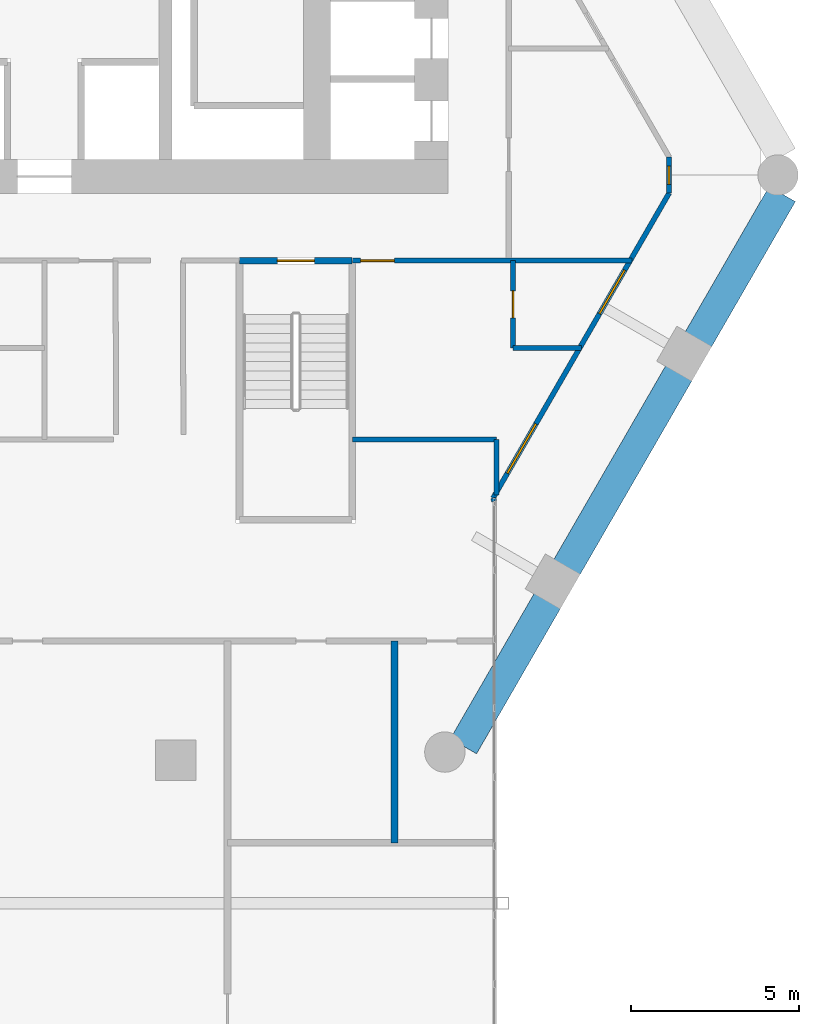
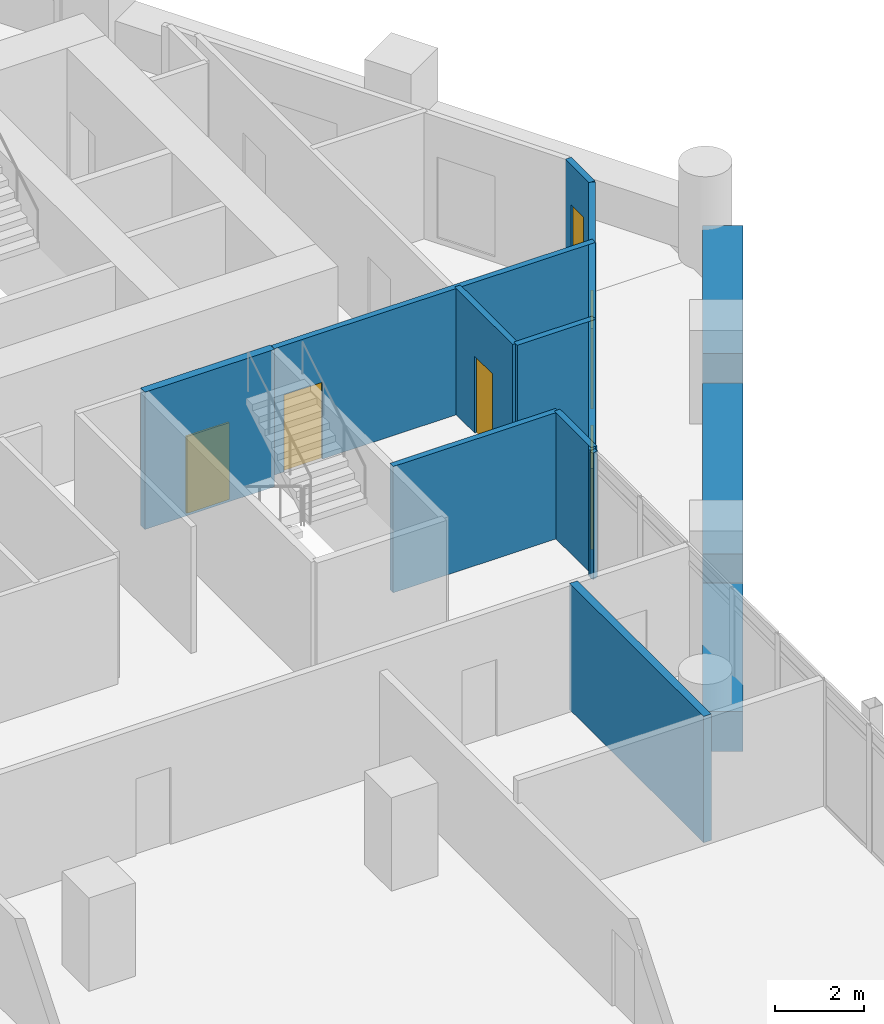
# One storey, part 24 of 28: 13 walls, 3 doors, 3 windows, 6 openings.
"""IFC4 building model written with IfcOpenShell, lengths in metres."""

from ifc_helpers import new_model, si_unit, direction, frame, frame_2d, origin, place, context, subcontext, project, spatial, rectangle, extrude, material, layer, layer_set, type_object, element, fill, save


model = new_model("IFC4")

# Units and contexts
model_context = context("Model", 3, precision=1e-05, world=origin(), true_north=direction((0.0, 1.0)))
body_context = subcontext(model_context, "Body", "Model", "MODEL_VIEW")
ifc_project = project(units=[si_unit("LENGTHUNIT", "METRE"), si_unit("AREAUNIT", "SQUARE_METRE"), si_unit("VOLUMEUNIT", "CUBIC_METRE"), si_unit("PLANEANGLEUNIT", "RADIAN"), si_unit("MASSUNIT", "GRAM", prefix="KILO")], contexts=[model_context])

# Site, building, storey
site_placement = place(None, origin())
site = spatial("IfcSite", under=ifc_project, at=site_placement, CompositionType="ELEMENT")
building_placement = place(site_placement, origin())
building = spatial("IfcBuilding", under=site, at=building_placement, Name="Ostrander Bayou Hotel Tower", CompositionType="ELEMENT")
storey_placement = place(building_placement, frame((0.0, 0.0, 142.25)))
storey = spatial("IfcBuildingStorey", under=building, at=storey_placement, Name="L35", CompositionType="ELEMENT", Elevation=142.25)

# Wall, openings, windows
ifc_material_1 = material(Name="Aluminium framed insulated wall", Category="aluminium")
ifc_layer_1 = layer(ifc_material_1, 0.14990234375)
ifc_layer_set_1 = layer_set([ifc_layer_1], Name="GW1 glass-line wall 150 mm")
wall_type_1 = type_object("IfcWallType", Name="GW1 glass-line wall 150 mm", PredefinedType="SOLIDWALL", material=ifc_layer_set_1)
wall_1_placement = place(storey_placement, frame((13.333984375, -10.7548828125, 0.0), z_axis=(0.0, 0.0, 1.0), x_axis=(0.499994317138, 0.866028684761, 0.0)))
wall_1 = element("IfcWall", 1, at=wall_1_placement, inside=storey, type_object=wall_type_1, Name="GW1 L35 SE 1", PredefinedType="SOLIDWALL", context=body_context, shape_type="SweptSolid", body=[
    extrude(rectangle(XDim=10.46826171875, YDim=0.14990234375, at=frame_2d((5.234130859375, 0.0))), origin(), (0.0, 0.0, 1.0), 3.449951171875),
])
opening_1_placement = place(wall_1_placement, frame((0.84716796875, 0.0, 0.14990234375)))
opening_1 = element("IfcOpeningElement", 2, at=opening_1_placement, cuts=wall_1, Name="Opening W8", PredefinedType="OPENING", context=body_context, shape_type="SweptSolid", body=[
    extrude(rectangle(XDim=1.699951171875, YDim=2.199951171875, at=frame_2d((0.85009765625, 1.10009765625))), frame((0.0, 0.074951171875, 0.0), z_axis=(0.0, -1.0, 0.0), x_axis=(1.0, 0.0, 0.0)), (0.0, 0.0, 1.0), 0.14990234375),
])
opening_2_placement = place(wall_1_placement, frame((6.322265625, 0.0, 0.14990234375)))
opening_2 = element("IfcOpeningElement", 3, at=opening_2_placement, cuts=wall_1, Name="Opening W12", PredefinedType="OPENING", context=body_context, shape_type="SweptSolid", body=[
    extrude(rectangle(XDim=1.5, YDim=2.199951171875, at=frame_2d((0.75, 1.10009765625))), frame((0.0, 0.074951171875, 0.0), z_axis=(0.0, -1.0, 0.0), x_axis=(1.0, 0.0, 0.0)), (0.0, 0.0, 1.0), 0.14990234375),
])
ifc_material_2 = material(Name="Aluminium and clear glass", Category="aluminium")
window_type_1 = type_object("IfcWindowType", Name="W12 fixed window 1500 mm, bath bay, zone 2", PartitioningType="SINGLE_PANEL", PredefinedType="WINDOW", material=ifc_material_2)
window_1_placement = place(opening_2_placement, origin())
window_1 = element("IfcWindow", 4, at=window_1_placement, inside=storey, type_object=window_type_1, Name="W12 L35 SE 3", OverallHeight=2.199951171875, OverallWidth=1.5, PartitioningType="SINGLE_PANEL", PredefinedType="WINDOW", context=body_context, shape_type="SweptSolid", body=[
    extrude(rectangle(XDim=1.5, YDim=2.199951171875, at=frame_2d((0.75, 1.10009765625))), frame((0.0, 0.030029296875, 0.0), z_axis=(0.0, -1.0, 0.0), x_axis=(1.0, 0.0, 0.0)), (0.0, 0.0, 1.0), 0.06005859375),
])
fill(opening_2, window_1)
ifc_material_3 = material(Name="Aluminium and clear glass", Category="aluminium")
window_type_2 = type_object("IfcWindowType", Name="W8 fixed window 1700 mm, bar storeys, zone 2", PartitioningType="SINGLE_PANEL", PredefinedType="WINDOW", material=ifc_material_3)
window_2_placement = place(opening_1_placement, origin())
window_2 = element("IfcWindow", 5, at=window_2_placement, inside=storey, type_object=window_type_2, Name="W8 L35 SE 2", OverallHeight=2.199951171875, OverallWidth=1.699951171875, PartitioningType="SINGLE_PANEL", PredefinedType="WINDOW", context=body_context, shape_type="SweptSolid", body=[
    extrude(rectangle(XDim=1.699951171875, YDim=2.199951171875, at=frame_2d((0.85009765625, 1.10009765625))), frame((0.0, 0.030029296875, 0.0), z_axis=(0.0, -1.0, 0.0), x_axis=(1.0, 0.0, 0.0)), (0.0, 0.0, 1.0), 0.06005859375),
])
fill(opening_1, window_2)

# Wall, opening, window
wall_2_placement = place(storey_placement, frame((18.568115234375, -1.68896484375, 0.0), z_axis=(0.0, 0.0, 1.0), x_axis=(0.0, 1.0, 0.0)))
wall_2 = element("IfcWall", 6, at=wall_2_placement, inside=storey, type_object=wall_type_1, Name="GW1 L35 corner 5", PredefinedType="SOLIDWALL", context=body_context, shape_type="SweptSolid", body=[
    extrude(rectangle(XDim=1.06494140625, YDim=0.14990234375, at=frame_2d((0.532470703125, 0.0))), origin(), (0.0, 0.0, 1.0), 3.449951171875),
])
opening_3_placement = place(wall_2_placement, frame((0.257568359375, 0.0, 0.14990234375)))
opening_3 = element("IfcOpeningElement", 7, at=opening_3_placement, cuts=wall_2, Name="Opening W19", PredefinedType="OPENING", context=body_context, shape_type="SweptSolid", body=[
    extrude(rectangle(XDim=0.550048828125, YDim=2.199951171875, at=frame_2d((0.27490234375, 1.10009765625))), frame((0.0, 0.074951171875, 0.0), z_axis=(0.0, -1.0, 0.0), x_axis=(1.0, 0.0, 0.0)), (0.0, 0.0, 1.0), 0.14990234375),
])
ifc_material_4 = material(Name="Aluminium and clear glass", Category="aluminium")
window_type_3 = type_object("IfcWindowType", Name="W19 corner window 550 mm", PartitioningType="SINGLE_PANEL", PredefinedType="WINDOW", material=ifc_material_4)
window_3_placement = place(opening_3_placement, origin())
window_3 = element("IfcWindow", 8, at=window_3_placement, inside=storey, type_object=window_type_3, Name="W19 L35 corner 5", OverallHeight=2.199951171875, OverallWidth=0.550048828125, PartitioningType="SINGLE_PANEL", PredefinedType="WINDOW", context=body_context, shape_type="SweptSolid", body=[
    extrude(rectangle(XDim=0.550048828125, YDim=2.199951171875, at=frame_2d((0.27490234375, 1.10009765625))), frame((0.0, 0.030029296875, 0.0), z_axis=(0.0, -1.0, 0.0), x_axis=(1.0, 0.0, 0.0)), (0.0, 0.0, 1.0), 0.06005859375),
])
fill(opening_3, window_3)

# Walls
wall_3_placement = place(storey_placement, frame((13.333984375, -10.7548828125, 0.0), z_axis=(0.0, 0.0, 1.0), x_axis=(0.337751931921, -0.941235163221, 0.0)))
element("IfcWall", 9, at=wall_3_placement, inside=storey, type_object=wall_type_1, Name="GW1 L35 bar joint 2", PredefinedType="SOLIDWALL", context=body_context, shape_type="SweptSolid", body=[
    extrude(rectangle(XDim=0.098388671875, YDim=0.14990234375, at=frame_2d((0.04931640625, 0.0))), origin(), (0.0, 0.0, 1.0), 3.449951171875),
])
ifc_material_5 = material(Name="Limestone masonry", Category="masonry")
ifc_layer_2 = layer(ifc_material_5, 0.89990234375)
ifc_layer_set_2 = layer_set([ifc_layer_2], Name="PA2 limestone parapet 900 mm")
wall_type_2 = type_object("IfcWallType", Name="PA2 limestone parapet 900 mm", PredefinedType="PARAPET", material=ifc_layer_set_2)
wall_4_placement = place(storey_placement, frame((12.45361328125, -18.1298828125, 0.0), z_axis=(0.0, 0.0, 1.0), x_axis=(0.499974782844, 0.866039962427, 0.0)))
element("IfcWall", 10, at=wall_4_placement, inside=storey, type_object=wall_type_2, Name="PA2 L35 SE-1", PredefinedType="PARAPET", context=body_context, shape_type="SweptSolid", body=[
    extrude(rectangle(XDim=4.997314453125, YDim=0.89990234375, at=frame_2d((2.49853515625, 0.0))), origin(), (0.0, 0.0, 1.0), 1.10009765625),
])
wall_5_placement = place(storey_placement, frame((15.522216796875, -12.814697265625, 0.0), z_axis=(0.0, 0.0, 1.0), x_axis=(0.499999023957, 0.866025967302, 0.0)))
element("IfcWall", 11, at=wall_5_placement, inside=storey, type_object=wall_type_2, Name="PA2 L35 SE-2", PredefinedType="PARAPET", context=body_context, shape_type="SweptSolid", body=[
    extrude(rectangle(XDim=6.67333984375, YDim=0.89990234375, at=frame_2d((3.336669921875, 0.0))), origin(), (0.0, 0.0, 1.0), 1.10009765625),
])
wall_6_placement = place(storey_placement, frame((19.428955078125, -6.048095703125, 0.0), z_axis=(0.0, 0.0, 1.0), x_axis=(0.500011423449, 0.866018808352, 0.0)))
element("IfcWall", 12, at=wall_6_placement, inside=storey, type_object=wall_type_2, Name="PA2 L35 SE-3", PredefinedType="PARAPET", context=body_context, shape_type="SweptSolid", body=[
    extrude(rectangle(XDim=4.99755859375, YDim=0.89990234375, at=frame_2d((2.498779296875, 0.0))), origin(), (0.0, 0.0, 1.0), 1.10009765625),
])
ifc_material_6 = material(Name="Gypsum board partition", Category="finish")
ifc_layer_3 = layer(ifc_material_6, 0.199951171875)
ifc_layer_set_3 = layer_set([ifc_layer_3], Name="PT3 demising wall 200 mm acoustic double stud, 1 hour")
wall_type_3 = type_object("IfcWallType", Name="PT3 demising wall 200 mm acoustic double stud, 1 hour", PredefinedType="PARTITIONING", material=ifc_layer_set_3)
wall_7_placement = place(storey_placement, frame((10.402099609375, -21.0, 0.0), z_axis=(0.0, 0.0, 1.0), x_axis=(0.0, 1.0, 0.0)))
element("IfcWall", 13, at=wall_7_placement, inside=storey, type_object=wall_type_3, Name="sw:L35:511", PredefinedType="PARTITIONING", context=body_context, shape_type="SweptSolid", body=[
    extrude(rectangle(XDim=6.0, YDim=0.199951171875, at=frame_2d((3.0, 0.0))), origin(), (0.0, 0.0, 1.0), 3.449951171875),
])
ifc_material_7 = material(Name="Gypsum board partition", Category="finish")
ifc_layer_4 = layer(ifc_material_7, 0.14990234375)
ifc_layer_set_4 = layer_set([ifc_layer_4], Name="PT8 service band wall 150 mm, 1 hour")
wall_type_4 = type_object("IfcWallType", Name="PT8 service band wall 150 mm, 1 hour", PredefinedType="PARTITIONING", material=ifc_layer_set_4)
wall_8_placement = place(storey_placement, frame((9.159912109375, -9.010009765625, 0.0), z_axis=(0.0, 0.0, 1.0), x_axis=(1.0, 0.0, 0.0)))
element("IfcWall", 14, at=wall_8_placement, inside=storey, type_object=wall_type_4, Name="gw:L35:003", PredefinedType="PARTITIONING", context=body_context, shape_type="SweptSolid", body=[
    extrude(rectangle(XDim=4.280029296875, YDim=0.14990234375, at=frame_2d((2.14013671875, 0.0))), origin(), (0.0, 0.0, 1.0), 3.449951171875),
])
wall_9_placement = place(storey_placement, frame((13.929931640625, -6.300048828125, 0.0), z_axis=(0.0, 0.0, 1.0), x_axis=(1.0, 0.0, 0.0)))
element("IfcWall", 15, at=wall_9_placement, inside=storey, type_object=wall_type_4, Name="gw:L35:006", PredefinedType="PARTITIONING", context=body_context, shape_type="SweptSolid", body=[
    extrude(rectangle(XDim=2.028076171875, YDim=0.14990234375, at=frame_2d((1.01416015625, 0.0))), origin(), (0.0, 0.0, 1.0), 3.449951171875),
])

# Wall, opening, door
wall_10_placement = place(storey_placement, frame((9.159912109375, -3.699951171875, 0.0), z_axis=(0.0, 0.0, 1.0), x_axis=(1.0, 0.0, 0.0)))
wall_10 = element("IfcWall", 16, at=wall_10_placement, inside=storey, type_object=wall_type_4, Name="gw:L35:010", PredefinedType="PARTITIONING", context=body_context, shape_type="SweptSolid", body=[
    extrude(rectangle(XDim=8.299072265625, YDim=0.14990234375, at=frame_2d((4.1494140625, 0.0))), origin(), (0.0, 0.0, 1.0), 3.449951171875),
])
opening_4_placement = place(wall_10_placement, frame((0.239990234375, 0.0, 0.0)))
opening_4 = element("IfcOpeningElement", 17, at=opening_4_placement, cuts=wall_10, Name="Opening T34-406", PredefinedType="OPENING", context=body_context, shape_type="SweptSolid", body=[
    extrude(rectangle(XDim=1.0, YDim=2.10009765625, at=frame_2d((0.5, 1.050048828125))), frame((0.0, 0.074951171875, 0.0), z_axis=(0.0, -1.0, 0.0), x_axis=(1.0, 0.0, 0.0)), (0.0, 0.0, 1.0), 0.14990234375),
])
ifc_material_8 = material(Name="Timber door leaf", Category="wood")
door_type_1 = type_object("IfcDoorType", Name="D1 guest room door 1000 x 2100 mm, 30 minute", OperationType="SINGLE_SWING_LEFT", PredefinedType="DOOR", material=ifc_material_8)
door_1_placement = place(opening_4_placement, origin())
door_1 = element("IfcDoor", 18, at=door_1_placement, inside=storey, type_object=door_type_1, Name="dr:L35:406", OperationType="SINGLE_SWING_LEFT", OverallHeight=2.10009765625, OverallWidth=1.0, PredefinedType="DOOR", context=body_context, shape_type="SweptSolid", body=[
    extrude(rectangle(XDim=1.0, YDim=2.10009765625, at=frame_2d((0.5, 1.050048828125))), frame((0.0, 0.02490234375, 0.0), z_axis=(0.0, -1.0, 0.0), x_axis=(1.0, 0.0, 0.0)), (0.0, 0.0, 1.0), 0.050048828125),
])
fill(opening_4, door_1)

wall_11_placement = place(storey_placement, frame((13.929931640625, -6.300048828125, 0.0), z_axis=(0.0, 0.0, 1.0), x_axis=(0.0, 1.0, 0.0)))
wall_11 = element("IfcWall", 19, at=wall_11_placement, inside=storey, type_object=wall_type_4, Name="gw:L35:016", PredefinedType="PARTITIONING", context=body_context, shape_type="SweptSolid", body=[
    extrude(rectangle(XDim=2.60009765625, YDim=0.14990234375, at=frame_2d((1.300048828125, 0.0))), origin(), (0.0, 0.0, 1.0), 3.449951171875),
])
opening_5_placement = place(wall_11_placement, frame((0.89990234375, 0.0, 0.0)))
opening_5 = element("IfcOpeningElement", 20, at=opening_5_placement, cuts=wall_11, Name="Opening T34-407", PredefinedType="OPENING", context=body_context, shape_type="SweptSolid", body=[
    extrude(rectangle(XDim=0.800048828125, YDim=2.10009765625, at=frame_2d((0.39990234375, 1.050048828125))), frame((0.0, 0.074951171875, 0.0), z_axis=(0.0, -1.0, 0.0), x_axis=(1.0, 0.0, 0.0)), (0.0, 0.0, 1.0), 0.14990234375),
])
ifc_material_9 = material(Name="Timber door leaf", Category="wood")
door_type_2 = type_object("IfcDoorType", Name="D2 bathroom door 800 x 2100 mm", OperationType="SINGLE_SWING_LEFT", PredefinedType="DOOR", material=ifc_material_9)
door_2_placement = place(opening_5_placement, origin())
door_2 = element("IfcDoor", 21, at=door_2_placement, inside=storey, type_object=door_type_2, Name="dr:L35:407", OperationType="SINGLE_SWING_RIGHT", OverallHeight=2.10009765625, OverallWidth=0.800048828125, PredefinedType="DOOR", context=body_context, shape_type="SweptSolid", body=[
    extrude(rectangle(XDim=0.800048828125, YDim=2.10009765625, at=frame_2d((0.39990234375, 1.050048828125))), frame((0.0, 0.02490234375, 0.0), z_axis=(0.0, -1.0, 0.0), x_axis=(1.0, 0.0, 0.0)), (0.0, 0.0, 1.0), 0.050048828125),
])
fill(opening_5, door_2)

# Wall
wall_12_placement = place(storey_placement, frame((13.43994140625, -10.660888671875, 0.0), z_axis=(0.0, 0.0, 1.0), x_axis=(0.0, 1.0, 0.0)))
element("IfcWall", 22, at=wall_12_placement, inside=storey, type_object=wall_type_4, Name="gw:L35:018", PredefinedType="PARTITIONING", context=body_context, shape_type="SweptSolid", body=[
    extrude(rectangle(XDim=1.65087890625, YDim=0.14990234375, at=frame_2d((0.825439453125, 0.0))), origin(), (0.0, 0.0, 1.0), 3.449951171875),
])

# Wall, opening, door
ifc_material_10 = material(Name="Concrete f'c 45 MPa", Category="concrete")
ifc_layer_5 = layer(ifc_material_10, 0.199951171875)
ifc_layer_set_5 = layer_set([ifc_layer_5], Name="SW5 stair enclosure wall 200 mm f'c 45 MPa")
wall_type_5 = type_object("IfcWallType", Name="SW5 stair enclosure wall 200 mm f'c 45 MPa", PredefinedType="SOLIDWALL", material=ifc_layer_set_5)
wall_13_placement = place(storey_placement, frame((5.800048828125, -3.699951171875, -0.300048828125), z_axis=(0.0, 0.0, 1.0), x_axis=(1.0, 0.0, 0.0)))
wall_13 = element("IfcWall", 23, at=wall_13_placement, inside=storey, type_object=wall_type_5, Name="cs:L35:013", PredefinedType="SOLIDWALL", context=body_context, shape_type="SweptSolid", body=[
    extrude(rectangle(XDim=3.349853515625, YDim=0.199951171875, at=frame_2d((1.6748046875, 0.0))), origin(), (0.0, 0.0, 1.0), 3.75),
])
opening_6_placement = place(wall_13_placement, frame((1.125, 0.0, 0.0)))
opening_6 = element("IfcOpeningElement", 24, at=opening_6_placement, cuts=wall_13, Name="Opening T34-007", PredefinedType="OPENING", context=body_context, shape_type="SweptSolid", body=[
    extrude(rectangle(XDim=1.10009765625, YDim=2.10009765625, at=frame_2d((0.550048828125, 1.050048828125))), frame((0.0, 0.10009765625, 0.0), z_axis=(0.0, -1.0, 0.0), x_axis=(1.0, 0.0, 0.0)), (0.0, 0.0, 1.0), 0.199951171875),
])
ifc_material_11 = material(Name="Timber door leaf", Category="wood")
door_type_3 = type_object("IfcDoorType", Name="D5 stair door 1100 x 2100 mm, 90 minute", OperationType="SINGLE_SWING_LEFT", PredefinedType="DOOR", material=ifc_material_11)
door_3_placement = place(opening_6_placement, origin())
door_3 = element("IfcDoor", 25, at=door_3_placement, inside=storey, type_object=door_type_3, Name="dr:L35:007", OperationType="SINGLE_SWING_LEFT", OverallHeight=2.10009765625, OverallWidth=1.10009765625, PredefinedType="DOOR", context=body_context, shape_type="SweptSolid", body=[
    extrude(rectangle(XDim=1.10009765625, YDim=2.10009765625, at=frame_2d((0.550048828125, 1.050048828125))), frame((0.0, 0.02490234375, 0.0), z_axis=(0.0, -1.0, 0.0), x_axis=(1.0, 0.0, 0.0)), (0.0, 0.0, 1.0), 0.050048828125),
])
fill(opening_6, door_3)

save(model, "model.ifc")
